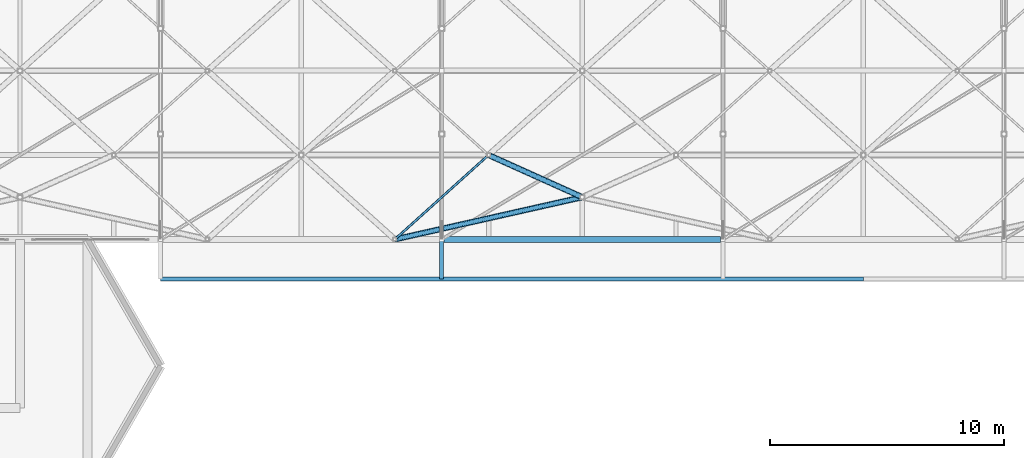
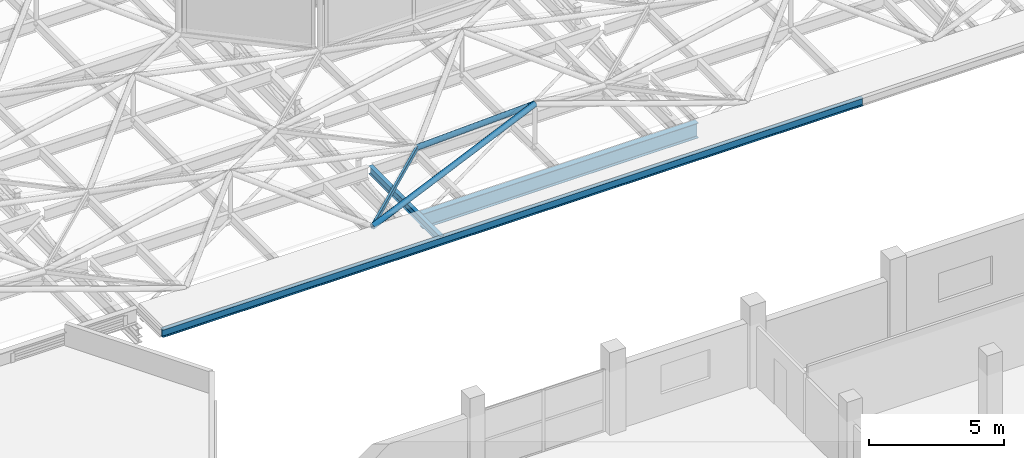
# One storey, part 21 of 239: 4 beams, 2 members.
"""IFC4 building model written with IfcOpenShell, lengths in metres."""

from ifc_helpers import new_model, si_unit, direction, frame, origin, origin_2d, place, context, subcontext, project, spatial, hollow_rectangle, hollow_circle, i_section, extrude, material, material_profile, profile_set, type_object, element, save


model = new_model("IFC4")

# Units and contexts
model_context = context("Model", 3, precision=1e-05, world=origin(), true_north=direction((0.0, 1.0)))
body_context = subcontext(model_context, "Body", "Model", "MODEL_VIEW")
ifc_project = project(units=[si_unit("LENGTHUNIT", "METRE"), si_unit("AREAUNIT", "SQUARE_METRE"), si_unit("VOLUMEUNIT", "CUBIC_METRE"), si_unit("PLANEANGLEUNIT", "RADIAN"), si_unit("MASSUNIT", "GRAM", prefix="KILO")], contexts=[model_context])

# Site, building, storey
site_placement = place(None, origin())
site = spatial("IfcSite", under=ifc_project, at=site_placement, CompositionType="ELEMENT")
building_placement = place(site_placement, origin())
building = spatial("IfcBuilding", under=site, at=building_placement, Name="Dunvalen Ferry Terminal", CompositionType="ELEMENT")
storey_placement = place(building_placement, frame((0.0, 0.0, 9.840087890625)))
storey = spatial("IfcBuildingStorey", under=building, at=storey_placement, Name="L02", CompositionType="ELEMENT", Elevation=9.840087890625)

# Beams
ifc_material = material(Name="Steel S355", Category="steel")
ifc_material_profile_1 = material_profile(ifc_material, i_section(OverallWidth=0.169921875, OverallDepth=0.360107421875, WebThickness=0.008056640625, FlangeThickness=0.0126953125, FilletRadius=0.01806640625, at=origin_2d()), Name="Steel S355")
ifc_profile_set_1 = profile_set([ifc_material_profile_1], Name="Steel S355")
beam_type_1 = type_object("IfcBeamType", Name="STR-BM-IPE360", PredefinedType="BEAM", material=ifc_profile_set_1)
beam_1_placement = place(storey_placement, frame((48.0, 54.0, 0.81982421875), z_axis=(0.0, -1.0, 0.0), x_axis=(1.0, 0.0, 0.0)))
element("IfcBeam", 1, at=beam_1_placement, inside=storey, type_object=beam_type_1, Name="Departure Hall South Eave Outrigger 07", PredefinedType="BEAM", context=body_context, shape_type="SweptSolid", body=[
    extrude(i_section(OverallWidth=0.169921875, OverallDepth=0.360107421875, WebThickness=0.008056640625, FlangeThickness=0.0126953125, FilletRadius=0.01806640625, at=origin_2d()), origin(), (0.0, 0.0, 1.0), 5.300048828125),
])
ifc_material_profile_2 = material_profile(ifc_material, hollow_rectangle(XDim=0.10009765625, YDim=0.199951171875, WallThickness=0.008056640625, InnerFilletRadius=0.008056640625, OuterFilletRadius=0.01611328125, at=origin_2d()), Name="Steel S355")
ifc_profile_set_2 = profile_set([ifc_material_profile_2], Name="Steel S355")
beam_type_2 = type_object("IfcBeamType", Name="STR-BM-RHS200", PredefinedType="BEAM", material=ifc_profile_set_2)
beam_2_placement = place(storey_placement, frame((46.0, 50.39990234375, 1.099853515625), z_axis=(0.743285123004, 0.668974757313, 0.0), x_axis=(-0.668974757313, 0.743285123004, 0.0)))
element("IfcBeam", 2, at=beam_2_placement, inside=storey, type_object=beam_type_2, Name="HEX-18 Hexagonal Rim Beam 3", PredefinedType="BEAM", context=body_context, shape_type="SweptSolid", body=[
    extrude(hollow_rectangle(XDim=0.10009765625, YDim=0.199951171875, WallThickness=0.008056640625, InnerFilletRadius=0.008056640625, OuterFilletRadius=0.01611328125, at=origin_2d()), origin(), (0.0, 0.0, 1.0), 5.381591796875),
])
ifc_material_profile_3 = material_profile(ifc_material, i_section(OverallWidth=0.17138671875, OverallDepth=0.35498046875, WebThickness=0.00732421875, FlangeThickness=0.011474609375, FilletRadius=0.01025390625, at=origin_2d()), Name="Steel S355")
ifc_profile_set_3 = profile_set([ifc_material_profile_3], Name="Steel S355")
beam_type_3 = type_object("IfcBeamType", Name="STR-BM-UKB356", PredefinedType="JOIST", material=ifc_profile_set_3)
beam_3_placement = place(storey_placement, frame((36.0, 48.699951171875, 0.81982421875), z_axis=(1.0, 0.0, 0.0), x_axis=(0.0, 1.0, 0.0)))
element("IfcBeam", 3, at=beam_3_placement, inside=storey, type_object=beam_type_3, Name="Departure Hall South Eave West Fascia Beam", PredefinedType="JOIST", context=body_context, shape_type="SweptSolid", body=[
    extrude(i_section(OverallWidth=0.17138671875, OverallDepth=0.35498046875, WebThickness=0.00732421875, FlangeThickness=0.011474609375, FilletRadius=0.01025390625, at=origin_2d()), origin(), (0.0, 0.0, 1.0), 30.0),
])
ifc_material_profile_4 = material_profile(ifc_material, i_section(OverallWidth=0.253662109375, OverallDepth=0.68359375, WebThickness=0.012451171875, FlangeThickness=0.01904296875, FilletRadius=0.01513671875, at=origin_2d()), Name="Steel S355")
ifc_profile_set_4 = profile_set([ifc_material_profile_4], Name="Steel S355")
beam_type_4 = type_object("IfcBeamType", Name="STR-BM-UKB686", PredefinedType="BEAM", material=ifc_profile_set_4)
beam_4_placement = place(storey_placement, frame((48.10009765625, 50.39990234375, 0.658203125), z_axis=(1.0, 0.0, 0.0), x_axis=(0.0, 1.0, 0.0)))
element("IfcBeam", 4, at=beam_4_placement, inside=storey, type_object=beam_type_4, Name="Departure Hall Spine Girder B4.01", PredefinedType="BEAM", context=body_context, shape_type="SweptSolid", body=[
    extrude(i_section(OverallWidth=0.253662109375, OverallDepth=0.68359375, WebThickness=0.012451171875, FlangeThickness=0.01904296875, FilletRadius=0.01513671875, at=origin_2d()), origin(), (0.0, 0.0, 1.0), 11.7998046875),
])

# Members
ifc_material_profile_5 = material_profile(ifc_material, hollow_circle(Radius=0.122314453125, WallThickness=0.010009765625, at=origin_2d()), Name="Steel S355")
ifc_profile_set_5 = profile_set([ifc_material_profile_5], Name="Steel S355")
member_type = type_object("IfcMemberType", Name="STR-MB-CHS244", PredefinedType="STRUT", material=ifc_profile_set_5)
member_1_placement = place(storey_placement, frame((46.0, 50.39990234375, 1.099853515625), z_axis=(0.956097314692, 0.215127731361, 0.198992422064), x_axis=(-0.219517862832, 0.975608480846, 0.0)))
element("IfcMember", 5, at=member_1_placement, inside=storey, type_object=member_type, Name="HEX-23 Pyramid Hip Rafter 1", PredefinedType="STRUT", context=body_context, shape_type="SweptSolid", body=[
    extrude(hollow_circle(Radius=0.122314453125, WallThickness=0.010009765625, at=origin_2d()), origin(), (0.0, 0.0, 1.0), 8.367431640625),
])
member_2_placement = place(storey_placement, frame((50.0, 54.0, 1.099853515625), z_axis=(0.852560097395, -0.383662451056, 0.354886466323), x_axis=(0.410373934525, 0.91191733938, 0.0)))
element("IfcMember", 6, at=member_2_placement, inside=storey, type_object=member_type, Name="HEX-23 Pyramid Hip Rafter 4", PredefinedType="STRUT", context=body_context, shape_type="SweptSolid", body=[
    extrude(hollow_circle(Radius=0.122314453125, WallThickness=0.010009765625, at=origin_2d()), origin(), (0.0, 0.0, 1.0), 4.691650390625),
])

save(model, "model.ifc")
